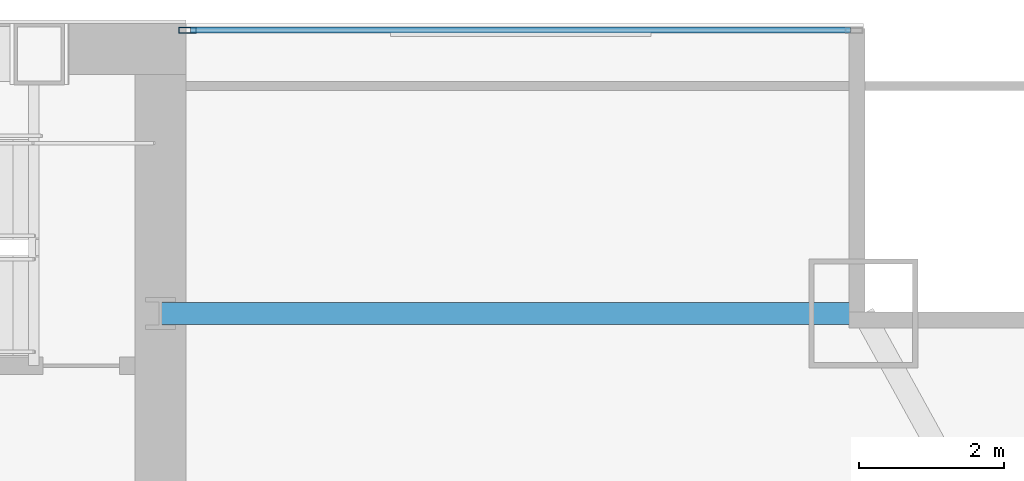
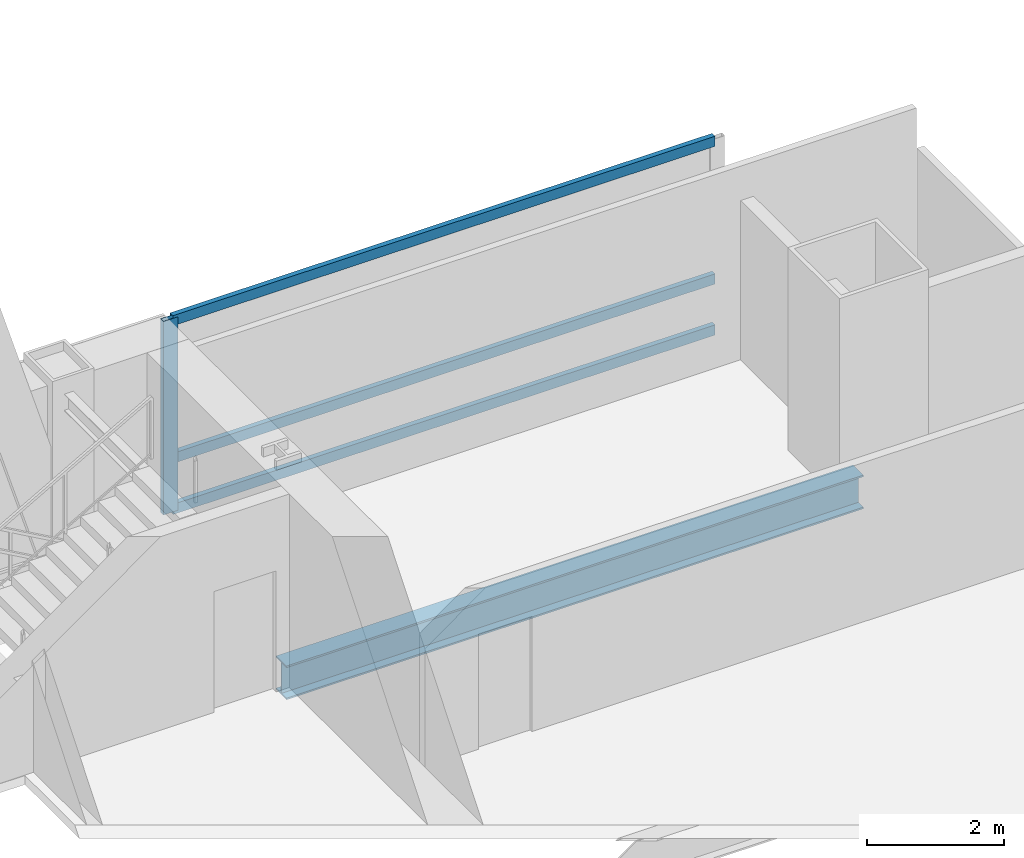
# One storey, part 20 of 33: 4 members, 1 beam, 1 element without a shape of its own.
"""IFC4 building model written with IfcOpenShell, lengths in metres."""

from ifc_helpers import new_model, si_unit, direction, frame, origin, origin_2d, place, context, subcontext, project, spatial, hollow_rectangle, i_section, extrude, material, material_profile, profile_set, type_object, element, aggregate, save


model = new_model("IFC4")

# Units and contexts
model_context = context("Model", 3, precision=1e-05, world=origin(), true_north=direction((0.0, 1.0)))
body_context = subcontext(model_context, "Body", "Model", "MODEL_VIEW")
ifc_project = project(units=[si_unit("LENGTHUNIT", "METRE"), si_unit("AREAUNIT", "SQUARE_METRE"), si_unit("VOLUMEUNIT", "CUBIC_METRE"), si_unit("PLANEANGLEUNIT", "RADIAN"), si_unit("MASSUNIT", "GRAM", prefix="KILO")], contexts=[model_context])

# Site, building, storey
site_placement = place(None, origin())
site = spatial("IfcSite", under=ifc_project, at=site_placement, CompositionType="ELEMENT")
building_placement = place(site_placement, origin())
building = spatial("IfcBuilding", under=site, at=building_placement, Name="Khoronbel Lancet Exchange", CompositionType="ELEMENT")
storey_placement = place(building_placement, frame((0.0, 0.0, 118.199951171875)))
storey = spatial("IfcBuildingStorey", under=building, at=storey_placement, Name="L28", CompositionType="ELEMENT", Elevation=118.199951171875)

# Beam
ifc_material_1 = material(Name="Steel S355", Category="steel")
ifc_material_profile_1 = material_profile(ifc_material_1, i_section(OverallWidth=0.300048828125, OverallDepth=0.60009765625, WebThickness=0.015380859375, FlangeThickness=0.030029296875, at=origin_2d()), Name="HEB 600")
ifc_profile_set_1 = profile_set([ifc_material_profile_1], Name="Steel S355")
beam_type = type_object("IfcBeamType", Name="BM-BSP2", PredefinedType="SPANDREL", material=ifc_profile_set_1)
beam_placement = place(storey_placement, frame((66.050048828125, 49.699951171875, -0.4599609375), z_axis=(-1.0, 0.0, 0.0), x_axis=(0.0, -1.0, 0.0)))
element("IfcBeam", 1, at=beam_placement, inside=storey, type_object=beam_type, Name="Level L28 north flank tie spandrel SP23", PredefinedType="SPANDREL", context=body_context, shape_type="SweptSolid", body=[
    extrude(i_section(OverallWidth=0.300048828125, OverallDepth=0.60009765625, WebThickness=0.015380859375, FlangeThickness=0.030029296875, at=origin_2d()), origin(), (0.0, 0.0, 1.0), 9.699951171875),
])

# Curtain wall, members
ifc_material_2 = material(Name="Low-E Solar Control Insulating Glass", Category="glass")
curtain_wall_type = type_object("IfcCurtainWallType", Name="CW-2", PredefinedType="NOTDEFINED", material=ifc_material_2)
curtain_wall_placement = place(storey_placement, origin())
curtain_wall = element("IfcCurtainWall", 2, at=curtain_wall_placement, inside=storey, type_object=curtain_wall_type, Name="Unitised curtain wall CW-L28-NEFLK", PredefinedType="NOTDEFINED")
ifc_material_3 = material(Name="Bronze-Anodised Aluminium 6063-T6", Category="aluminium")
ifc_material_profile_2 = material_profile(ifc_material_3, hollow_rectangle(XDim=0.0849609375, YDim=0.239990234375, WallThickness=0.006103515625, at=origin_2d()), Name="ALU MULLION 85x240")
ifc_profile_set_2 = profile_set([ifc_material_profile_2], Name="Bronze-Anodised Aluminium 6063-T6")
member_type_1 = type_object("IfcMemberType", Name="MEM-CWM1", PredefinedType="MULLION", material=ifc_profile_set_2)
member_1_placement = place(storey_placement, frame((56.722412109375, 53.610107421875, 0.0), z_axis=(0.0, 0.0, 1.0), x_axis=(0.0, -1.0, 0.0)))
member_1 = element("IfcMember", 3, at=member_1_placement, type_object=member_type_1, Name="CW2 mullion 2", PredefinedType="MULLION", context=body_context, shape_type="SweptSolid", body=[
    extrude(hollow_rectangle(XDim=0.0849609375, YDim=0.239990234375, WallThickness=0.006103515625, at=origin_2d()), origin(), (0.0, 0.0, 1.0), 3.43994140625),
])
ifc_material_profile_3 = material_profile(ifc_material_3, hollow_rectangle(XDim=0.0849609375, YDim=0.179931640625, WallThickness=0.0048828125, at=origin_2d()), Name="ALU TRANSOM 85x180")
ifc_profile_set_3 = profile_set([ifc_material_profile_3], Name="Bronze-Anodised Aluminium 6063-T6")
member_type_2 = type_object("IfcMemberType", Name="MEM-CWT1", PredefinedType="USERDEFINED", material=ifc_profile_set_3)
member_2_placement = place(storey_placement, frame((65.875, 53.610107421875, 0.04248046875), z_axis=(-1.0, 0.0, 0.0), x_axis=(0.0, -1.0, 0.0)))
member_2 = element("IfcMember", 4, at=member_2_placement, type_object=member_type_2, Name="CW2 transom 1.1", ObjectType="TRANSOM", PredefinedType="USERDEFINED", context=body_context, shape_type="SweptSolid", body=[
    extrude(hollow_rectangle(XDim=0.0849609375, YDim=0.179931640625, WallThickness=0.0048828125, at=origin_2d()), origin(), (0.0, 0.0, 1.0), 9.110107421875),
])
member_3_placement = place(storey_placement, frame((65.875, 53.610107421875, 0.949951171875), z_axis=(-1.0, 0.0, 0.0), x_axis=(0.0, -1.0, 0.0)))
member_3 = element("IfcMember", 5, at=member_3_placement, type_object=member_type_2, Name="CW2 transom 1.2", ObjectType="TRANSOM", PredefinedType="USERDEFINED", context=body_context, shape_type="SweptSolid", body=[
    extrude(hollow_rectangle(XDim=0.0849609375, YDim=0.179931640625, WallThickness=0.0048828125, at=origin_2d()), origin(), (0.0, 0.0, 1.0), 9.110107421875),
])
member_4_placement = place(storey_placement, frame((65.875, 53.610107421875, 3.3974609375), z_axis=(-1.0, 0.0, 0.0), x_axis=(0.0, -1.0, 0.0)))
member_4 = element("IfcMember", 6, at=member_4_placement, type_object=member_type_2, Name="CW2 transom 1.3", ObjectType="TRANSOM", PredefinedType="USERDEFINED", context=body_context, shape_type="SweptSolid", body=[
    extrude(hollow_rectangle(XDim=0.0849609375, YDim=0.179931640625, WallThickness=0.0048828125, at=origin_2d()), origin(), (0.0, 0.0, 1.0), 9.110107421875),
])
aggregate(curtain_wall, [member_1, member_2, member_3, member_4])

save(model, "model.ifc")
